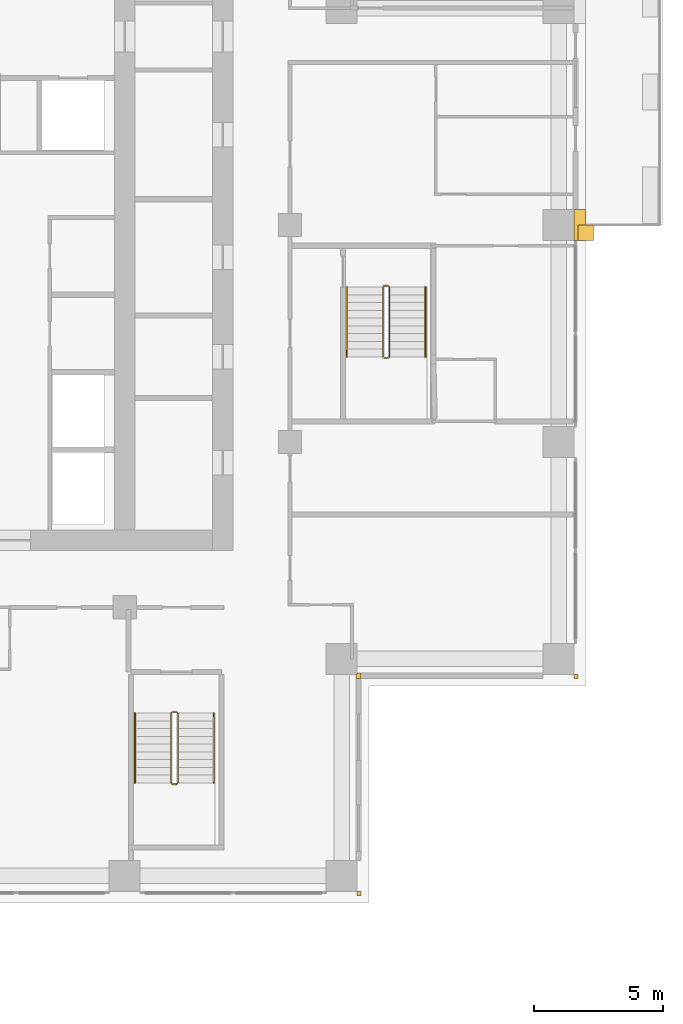
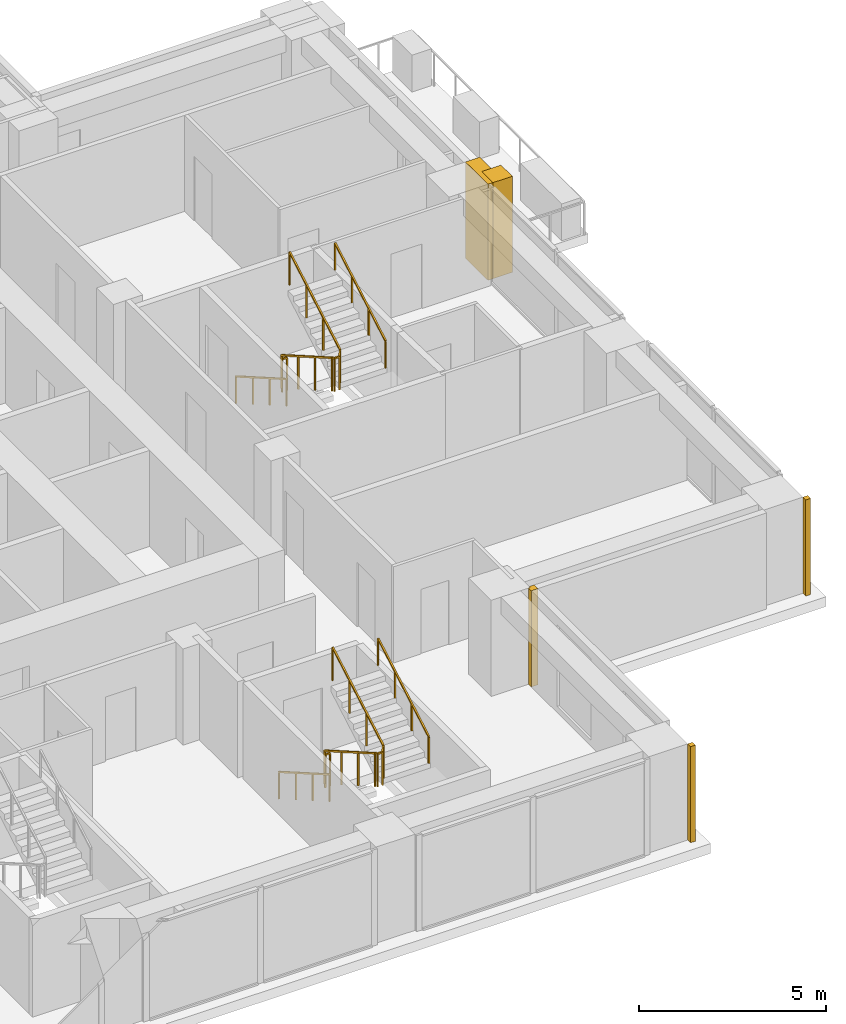
# One storey, part 15 of 17: 6 railings, 5 coverings.
"""IFC4 building model written with IfcOpenShell, lengths in metres."""

import ifcopenshell
import ifcopenshell.guid

model = None  # the IFC model being written
_history = None  # IfcOwnerHistory: only IFC2X3 demands one
_inside = {}  # id of a spatial element -> (the spatial element, [elements in it])
_under = {}  # id of a project, library or spatial element -> (it, [spatial elements below it])
_declared = {}  # id of a project -> (the project, [libraries it declares])
_typed = {}  # id of a type object -> (the type object, [elements of that type])
_made_of = {}  # id of a material, layer set ... -> (it, [elements and type objects made of it])


def new_model(schema):
    """Start an empty IFC model of exactly this schema.

    Asked for "IFC4X3", IfcOpenShell would pick the latest addendum, in which some entities
    have other attributes; the version numbers below select the first issue.
    IFC2X3 requires an IfcOwnerHistory on every rooted entity: one is made here for all.
    """
    global model, _history
    if schema == "IFC4X3":
        model = ifcopenshell.file(schema_version=(4, 3, 0, 0))
    else:
        model = ifcopenshell.file(schema=schema)
    _inside.clear()
    _under.clear()
    _declared.clear()
    _typed.clear()
    _made_of.clear()
    _history = None
    if model.schema == "IFC2X3":
        org = make("IfcOrganization", Name="unknown")
        user = make(
            "IfcPersonAndOrganization",
            ThePerson=make("IfcPerson", FamilyName="unknown"),
            TheOrganization=org,
        )
        app = make(
            "IfcApplication",
            ApplicationDeveloper=org,
            Version="unknown",
            ApplicationFullName="unknown",
            ApplicationIdentifier="unknown",
        )
        _history = make(
            "IfcOwnerHistory",
            OwningUser=user,
            OwningApplication=app,
            ChangeAction="ADDED",
            CreationDate=0,
        )
    return model


def make(cls, **values):
    """One entity of the class cls with the attributes given. An attribute that is None is left unset."""
    return model.create_entity(
        cls, **{name: value for name, value in values.items() if value is not None}
    )


def rooted(cls, **values):
    """An entity with a GlobalId (a new one), such as an element, a storey or a relation."""
    return make(cls, GlobalId=ifcopenshell.guid.new(), OwnerHistory=_history, **values)


def si_unit(unit_type, name, prefix=None):
    """IfcSIUnit, for example si_unit("LENGTHUNIT", "METRE", prefix="MILLI")."""
    return make("IfcSIUnit", UnitType=unit_type, Prefix=prefix, Name=name)


def assignment(units):
    """IfcUnitAssignment: the units of a project."""
    return None if units is None else make("IfcUnitAssignment", Units=units)


def point(xyz):
    """IfcCartesianPoint."""
    return None if xyz is None else make("IfcCartesianPoint", Coordinates=xyz)


def direction(xyz):
    """IfcDirection."""
    return None if xyz is None else make("IfcDirection", DirectionRatios=xyz)


def frame(location, z_axis=None, x_axis=None):
    """IfcAxis2Placement3D, a coordinate frame: its origin and axes. An axis left out is left unset."""
    return make(
        "IfcAxis2Placement3D",
        Location=point(location),
        Axis=direction(z_axis),
        RefDirection=direction(x_axis),
    )


def frame_2d(location, x_axis=None):
    """IfcAxis2Placement2D, a coordinate frame in the plane: its origin and x axis."""
    return make(
        "IfcAxis2Placement2D", Location=point(location), RefDirection=direction(x_axis)
    )


def origin():
    """The frame at (0, 0, 0) with its axes left unset."""
    return frame((0.0, 0.0, 0.0))


def origin_2d():
    """The frame at (0, 0) in the plane with its x axis left unset."""
    return frame_2d((0.0, 0.0))


def place(relative_to, where):
    """IfcLocalPlacement: puts the frame where relative to a parent placement (None: the world)."""
    return make(
        "IfcLocalPlacement", PlacementRelTo=relative_to, RelativePlacement=where
    )


def context(
    kind, dimensions, precision=None, world=None, true_north=None, identifier=None
):
    """IfcGeometricRepresentationContext, for example the 3D "Model" context."""
    return make(
        "IfcGeometricRepresentationContext",
        ContextIdentifier=identifier,
        ContextType=kind,
        CoordinateSpaceDimension=dimensions,
        Precision=precision,
        WorldCoordinateSystem=world,
        TrueNorth=true_north,
    )


def subcontext(parent, identifier, kind, view, scale=None):
    """IfcGeometricRepresentationSubContext, for example "Body" below "Model"."""
    return make(
        "IfcGeometricRepresentationSubContext",
        ContextIdentifier=identifier,
        ContextType=kind,
        ParentContext=parent,
        TargetScale=scale,
        TargetView=view,
    )


def project(units=None, contexts=None):
    """IfcProject with its units and contexts."""
    return rooted(
        "IfcProject",
        Name="project",
        RepresentationContexts=contexts,
        UnitsInContext=assignment(units),
    )


def spatial(cls, under=None, at=None, **own):
    """A site, building, storey or space (cls), placed at a placement, below another one or the project."""
    s = rooted(cls, ObjectPlacement=at, **own)
    if under is not None:
        _under.setdefault(under.id(), (under, []))[1].append(s)
    return s


def polyline(points):
    """IfcPolyline through the points."""
    return make("IfcPolyline", Points=[point(p) for p in points])


def profile(cls, at=None, kind="AREA", **sizes):
    """A parametric profile (cls). Its sizes go by their IFC names, for example OverallWidth=200.0."""
    return make(cls, ProfileType=kind, Position=at, **sizes)


def rectangle(**sizes):
    """IfcRectangleProfileDef."""
    return profile("IfcRectangleProfileDef", **sizes)


def outline(outer, holes=None, kind="AREA"):
    """IfcArbitraryClosedProfileDef: a profile drawn as a closed curve; with holes, ...WithVoids."""
    if holes is None:
        return make("IfcArbitraryClosedProfileDef", ProfileType=kind, OuterCurve=outer)
    return make(
        "IfcArbitraryProfileDefWithVoids",
        ProfileType=kind,
        OuterCurve=outer,
        InnerCurves=holes,
    )


def extrude(swept, where, along, depth):
    """IfcExtrudedAreaSolid: the profile swept, set in the frame where, extruded along a direction by depth."""
    return make(
        "IfcExtrudedAreaSolid",
        SweptArea=swept,
        Position=where,
        ExtrudedDirection=direction(along),
        Depth=depth,
    )


def shape(context_of_items, identifier, shape_type, items):
    """IfcShapeRepresentation: the items that make up one representation, for example the "Body"."""
    return make(
        "IfcShapeRepresentation",
        ContextOfItems=context_of_items,
        RepresentationIdentifier=identifier,
        RepresentationType=shape_type,
        Items=items,
    )


def material(Name=None, Category=None):
    """IfcMaterial."""
    return make("IfcMaterial", Name=Name, Category=Category)


def made_of(thing, what):
    """Note that an element or type object is made of a material, layer set ...; save() writes the relation."""
    if what is not None:
        _made_of.setdefault(what.id(), (what, []))[1].append(thing)
    return thing


def type_object(cls, material=None, **own):
    """A type object (cls), such as IfcWallType, which elements share."""
    return made_of(rooted(cls, **own), material)


def element(
    cls,
    number,
    at=None,
    inside=None,
    cuts=None,
    type_object=None,
    material=None,
    context=None,
    identifier="Body",
    shape_type=None,
    held_by="IfcProductDefinitionShape",
    body=None,
    shapes=None,
    **own,
):
    """One element of the class cls, such as IfcWall. Its Tag is "e" and its number.

    at: its placement. inside: the storey or other place that contains it. cuts: it is an
    opening in that element (IfcRelVoidsElement). A single representation is given by context,
    identifier, shape_type and body (its items); several are given by shapes. held_by: the class
    of the entity that holds the representations. save() writes the other relations.
    """
    e = rooted(cls, Tag="e%d" % number, ObjectPlacement=at, **own)
    if body is not None:
        shapes = [shape(context, identifier, shape_type, body)]
    if shapes is not None:
        e.Representation = make(held_by, Representations=shapes)
    if inside is not None:
        _inside.setdefault(inside.id(), (inside, []))[1].append(e)
    if cuts is not None:
        rooted(
            "IfcRelVoidsElement", RelatingBuildingElement=cuts, RelatedOpeningElement=e
        )
    if type_object is not None:
        _typed.setdefault(type_object.id(), (type_object, []))[1].append(e)
    return made_of(e, material)


def aggregate(whole, parts):
    """IfcRelAggregates: a whole, such as a stair, and the parts it consists of."""
    return rooted("IfcRelAggregates", RelatingObject=whole, RelatedObjects=parts)


def save(model, path):
    """Write the relations noted so far, then the file.

    IfcRelAggregates (storeys below a building ...), IfcRelContainedInSpatialStructure (elements
    in a storey), IfcRelDefinesByType, IfcRelAssociatesMaterial and IfcRelDeclares: one each for
    every whole, place, type object, material and project.
    """
    for whole, parts in _under.values():
        aggregate(whole, parts)
    for where, things in _inside.values():
        rooted(
            "IfcRelContainedInSpatialStructure",
            RelatedElements=things,
            RelatingStructure=where,
        )
    for kind, things in _typed.values():
        rooted("IfcRelDefinesByType", RelatedObjects=things, RelatingType=kind)
    for what, things in _made_of.values():
        rooted("IfcRelAssociatesMaterial", RelatedObjects=things, RelatingMaterial=what)
    for by, libraries in _declared.values():
        rooted("IfcRelDeclares", RelatingContext=by, RelatedDefinitions=libraries)
    model.write(path)


model = new_model("IFC4")

# Units and contexts
model_context = context("Model", 3, precision=1e-05, world=origin(), true_north=direction((0.0, 1.0)))
body_context = subcontext(model_context, "Body", "Model", "MODEL_VIEW")
ifc_project = project(units=[si_unit("LENGTHUNIT", "METRE"), si_unit("AREAUNIT", "SQUARE_METRE"), si_unit("VOLUMEUNIT", "CUBIC_METRE"), si_unit("PLANEANGLEUNIT", "RADIAN"), si_unit("MASSUNIT", "GRAM", prefix="KILO")], contexts=[model_context])

# Site, building, storey
site_placement = place(None, origin())
site = spatial("IfcSite", under=ifc_project, at=site_placement, CompositionType="ELEMENT")
building_placement = place(site_placement, origin())
building = spatial("IfcBuilding", under=site, at=building_placement, Name="Vermilion Ogive Tower", CompositionType="ELEMENT")
storey_placement = place(building_placement, frame((0.0, 0.0, 87.300048828125)))
storey = spatial("IfcBuildingStorey", under=building, at=storey_placement, Name="L21", CompositionType="ELEMENT", Elevation=87.300048828125)

# Railings
ifc_material_1 = material(Name="Steel S355 painted", Category="steel")
railing_type_1 = type_object("IfcRailingType", Name="Stair guard 1100", PredefinedType="GUARDRAIL", material=ifc_material_1)
railing_1_placement = place(storey_placement, frame((10.39990234375, -14.64990234375, 0.0)))
element("IfcRailing", 1, at=railing_1_placement, inside=storey, type_object=railing_type_1, Name="L21 ST5 stair guard 4", PredefinedType="GUARDRAIL", context=body_context, shape_type="SweptSolid", body=[
    extrude(rectangle(XDim=0.048095703125, YDim=0.048095703125, at=origin_2d()), frame((0.0, 0.0, 1.076171875), z_axis=(-1.0, 0.0, 0.0), x_axis=(0.0, -1.0, 0.0)), (0.0, 0.0, 1.0), 0.14990234375),
    extrude(rectangle(XDim=0.048095703125, YDim=0.048095703125, at=origin_2d()), frame((-0.14990234375, 0.0, 1.076171875), z_axis=(-0.268603158521, -0.268603158521, 0.925043072762), x_axis=(0.707106781187, -0.707106781187, 0.0)), (0.0, 0.0, 1.0), 0.186279296875),
    extrude(rectangle(XDim=0.048095703125, YDim=0.048095703125, at=origin_2d()), frame((-0.199951171875, -0.050048828125, 1.24853515625), z_axis=(0.0, -0.866903762492, 0.498475542607), x_axis=(1.0, 0.0, 0.0)), (0.0, 0.0, 1.0), 3.114501953125),
    extrude(rectangle(XDim=0.048095703125, YDim=0.048095703125, at=origin_2d()), frame((-0.199951171875, -2.75, 2.80078125), z_axis=(0.707106781187, -0.707106781187, 0.0), x_axis=(0.707106781187, 0.707106781187, 0.0)), (0.0, 0.0, 1.0), 0.07080078125),
    extrude(rectangle(XDim=0.048095703125, YDim=0.048095703125, at=origin_2d()), frame((-0.14990234375, -2.800048828125, 2.80078125), z_axis=(1.0, 0.0, 0.0), x_axis=(0.0, 1.0, 0.0)), (0.0, 0.0, 1.0), 0.14990234375),
    extrude(rectangle(XDim=0.048095703125, YDim=0.048095703125, at=origin_2d()), frame((0.0, -2.800048828125, 2.80078125), z_axis=(0.268277960024, 0.268277960024, 0.925231793839), x_axis=(-0.707106781187, 0.707106781187, 0.0)), (0.0, 0.0, 1.0), 0.1865234375),
    extrude(rectangle(XDim=0.048095703125, YDim=0.048095703125, at=origin_2d()), frame((0.050048828125, -2.75, 2.9736328125), z_axis=(0.0, 0.866903762492, 0.498475542607), x_axis=(-1.0, 0.0, 0.0)), (0.0, 0.0, 1.0), 3.114501953125),
    extrude(rectangle(XDim=0.0419921875, YDim=0.0419921875, at=origin_2d()), origin(), (0.0, 0.0, 1.0), 1.052001953125),
    extrude(rectangle(XDim=0.0419921875, YDim=0.0419921875, at=origin_2d()), frame((-0.14990234375, 0.0, 0.0)), (0.0, 0.0, 1.0), 1.052001953125),
    extrude(rectangle(XDim=0.0419921875, YDim=0.0419921875, at=origin_2d()), frame((-0.199951171875, -0.050048828125, 0.17236328125)), (0.0, 0.0, 1.0), 1.052001953125),
    extrude(rectangle(XDim=0.0419921875, YDim=0.0419921875, at=origin_2d()), frame((-0.199951171875, -0.949951171875, 0.68994140625)), (0.0, 0.0, 1.0), 1.052001953125),
    extrude(rectangle(XDim=0.0419921875, YDim=0.0419921875, at=origin_2d()), frame((-0.199951171875, -1.85009765625, 1.207275390625)), (0.0, 0.0, 1.0), 1.052001953125),
    extrude(rectangle(XDim=0.0419921875, YDim=0.0419921875, at=origin_2d()), frame((-0.199951171875, -2.75, 1.724853515625)), (0.0, 0.0, 1.0), 1.052001953125),
    extrude(rectangle(XDim=0.0419921875, YDim=0.0419921875, at=origin_2d()), frame((-0.14990234375, -2.800048828125, 1.724853515625)), (0.0, 0.0, 1.0), 1.052001953125),
    extrude(rectangle(XDim=0.0419921875, YDim=0.0419921875, at=origin_2d()), frame((0.0, -2.800048828125, 1.724853515625)), (0.0, 0.0, 1.0), 1.052001953125),
    extrude(rectangle(XDim=0.0419921875, YDim=0.0419921875, at=origin_2d()), frame((0.050048828125, -2.75, 1.8974609375)), (0.0, 0.0, 1.0), 1.052001953125),
    extrude(rectangle(XDim=0.0419921875, YDim=0.0419921875, at=origin_2d()), frame((0.050048828125, -1.85009765625, 2.4150390625)), (0.0, 0.0, 1.0), 1.052001953125),
    extrude(rectangle(XDim=0.0419921875, YDim=0.0419921875, at=origin_2d()), frame((0.050048828125, -0.949951171875, 2.932373046875)), (0.0, 0.0, 1.0), 1.052001953125),
    extrude(rectangle(XDim=0.0419921875, YDim=0.0419921875, at=origin_2d()), frame((0.050048828125, -0.050048828125, 3.449951171875)), (0.0, 0.0, 1.0), 1.052001953125),
])
railing_2_placement = place(storey_placement, frame((18.60009765625, 1.85009765625, 0.0)))
element("IfcRailing", 2, at=railing_2_placement, inside=storey, type_object=railing_type_1, Name="L21 ST8 stair guard 4", PredefinedType="GUARDRAIL", context=body_context, shape_type="SweptSolid", body=[
    extrude(rectangle(XDim=0.048095703125, YDim=0.048095703125, at=origin_2d()), frame((0.0, 0.0, 1.076171875), z_axis=(-1.0, 0.0, 0.0), x_axis=(0.0, -1.0, 0.0)), (0.0, 0.0, 1.0), 0.150146484375),
    extrude(rectangle(XDim=0.048095703125, YDim=0.048095703125, at=origin_2d()), frame((-0.150146484375, 0.0, 1.076171875), z_axis=(-0.268603158521, -0.268603158521, 0.925043072762), x_axis=(0.707106781187, -0.707106781187, 0.0)), (0.0, 0.0, 1.0), 0.186279296875),
    extrude(rectangle(XDim=0.048095703125, YDim=0.048095703125, at=origin_2d()), frame((-0.2001953125, -0.050048828125, 1.24853515625), z_axis=(0.0, -0.866903762492, 0.498475542607), x_axis=(1.0, 0.0, 0.0)), (0.0, 0.0, 1.0), 3.114501953125),
    extrude(rectangle(XDim=0.048095703125, YDim=0.048095703125, at=origin_2d()), frame((-0.2001953125, -2.75, 2.80078125), z_axis=(0.707106781187, -0.707106781187, 0.0), x_axis=(0.707106781187, 0.707106781187, 0.0)), (0.0, 0.0, 1.0), 0.07080078125),
    extrude(rectangle(XDim=0.048095703125, YDim=0.048095703125, at=origin_2d()), frame((-0.150146484375, -2.800048828125, 2.80078125), z_axis=(1.0, 0.0, 0.0), x_axis=(0.0, 1.0, 0.0)), (0.0, 0.0, 1.0), 0.150146484375),
    extrude(rectangle(XDim=0.048095703125, YDim=0.048095703125, at=origin_2d()), frame((0.0, -2.800048828125, 2.80078125), z_axis=(0.267062837333, 0.268371968888, 0.925556009775), x_axis=(-0.708833529934, 0.705375805398, 0.0)), (0.0, 0.0, 1.0), 0.1865234375),
    extrude(rectangle(XDim=0.048095703125, YDim=0.048095703125, at=origin_2d()), frame((0.0498046875, -2.75, 2.9736328125), z_axis=(0.0, 0.866903762492, 0.498475542607), x_axis=(-1.0, 0.0, 0.0)), (0.0, 0.0, 1.0), 3.114501953125),
    extrude(rectangle(XDim=0.0419921875, YDim=0.0419921875, at=origin_2d()), origin(), (0.0, 0.0, 1.0), 1.052001953125),
    extrude(rectangle(XDim=0.0419921875, YDim=0.0419921875, at=origin_2d()), frame((-0.150146484375, 0.0, 0.0)), (0.0, 0.0, 1.0), 1.052001953125),
    extrude(rectangle(XDim=0.0419921875, YDim=0.0419921875, at=origin_2d()), frame((-0.2001953125, -0.050048828125, 0.17236328125)), (0.0, 0.0, 1.0), 1.052001953125),
    extrude(rectangle(XDim=0.0419921875, YDim=0.0419921875, at=origin_2d()), frame((-0.2001953125, -0.949951171875, 0.68994140625)), (0.0, 0.0, 1.0), 1.052001953125),
    extrude(rectangle(XDim=0.0419921875, YDim=0.0419921875, at=origin_2d()), frame((-0.2001953125, -1.85009765625, 1.207275390625)), (0.0, 0.0, 1.0), 1.052001953125),
    extrude(rectangle(XDim=0.0419921875, YDim=0.0419921875, at=origin_2d()), frame((-0.2001953125, -2.75, 1.724853515625)), (0.0, 0.0, 1.0), 1.052001953125),
    extrude(rectangle(XDim=0.0419921875, YDim=0.0419921875, at=origin_2d()), frame((-0.150146484375, -2.800048828125, 1.724853515625)), (0.0, 0.0, 1.0), 1.052001953125),
    extrude(rectangle(XDim=0.0419921875, YDim=0.0419921875, at=origin_2d()), frame((0.0, -2.800048828125, 1.724853515625)), (0.0, 0.0, 1.0), 1.052001953125),
    extrude(rectangle(XDim=0.0419921875, YDim=0.0419921875, at=origin_2d()), frame((0.0498046875, -2.75, 1.8974609375)), (0.0, 0.0, 1.0), 1.052001953125),
    extrude(rectangle(XDim=0.0419921875, YDim=0.0419921875, at=origin_2d()), frame((0.0498046875, -1.85009765625, 2.4150390625)), (0.0, 0.0, 1.0), 1.052001953125),
    extrude(rectangle(XDim=0.0419921875, YDim=0.0419921875, at=origin_2d()), frame((0.0498046875, -0.949951171875, 2.932373046875)), (0.0, 0.0, 1.0), 1.052001953125),
    extrude(rectangle(XDim=0.0419921875, YDim=0.0419921875, at=origin_2d()), frame((0.0498046875, -0.050048828125, 3.449951171875)), (0.0, 0.0, 1.0), 1.052001953125),
])
ifc_material_2 = material(Name="Stainless steel", Category="steel")
railing_type_2 = type_object("IfcRailingType", Name="Stair handrail 900", PredefinedType="HANDRAIL", material=ifc_material_2)
railing_3_placement = place(storey_placement, frame((8.800048828125, -14.699951171875, 0.17236328125)))
element("IfcRailing", 3, at=railing_3_placement, inside=storey, type_object=railing_type_2, Name="L21 ST5 stair handrail 1", PredefinedType="HANDRAIL", context=body_context, shape_type="SweptSolid", body=[
    extrude(rectangle(XDim=0.048095703125, YDim=0.048095703125, at=origin_2d()), frame((0.0, 0.0, 0.8759765625), z_axis=(0.0, -0.866903762492, 0.498475542607), x_axis=(1.0, 0.0, 0.0)), (0.0, 0.0, 1.0), 3.114501953125),
    extrude(rectangle(XDim=0.0419921875, YDim=0.0419921875, at=origin_2d()), origin(), (0.0, 0.0, 1.0), 0.851806640625),
    extrude(rectangle(XDim=0.0419921875, YDim=0.0419921875, at=origin_2d()), frame((0.0, -0.89990234375, 0.517578125)), (0.0, 0.0, 1.0), 0.851806640625),
    extrude(rectangle(XDim=0.0419921875, YDim=0.0419921875, at=origin_2d()), frame((0.0, -1.800048828125, 1.034912109375)), (0.0, 0.0, 1.0), 0.851806640625),
    extrude(rectangle(XDim=0.0419921875, YDim=0.0419921875, at=origin_2d()), frame((0.0, -2.699951171875, 1.552490234375)), (0.0, 0.0, 1.0), 0.851806640625),
])
railing_4_placement = place(storey_placement, frame((11.85009765625, -17.39990234375, 1.8974609375)))
element("IfcRailing", 4, at=railing_4_placement, inside=storey, type_object=railing_type_2, Name="L21 ST5 stair handrail 2", PredefinedType="HANDRAIL", context=body_context, shape_type="SweptSolid", body=[
    extrude(rectangle(XDim=0.048095703125, YDim=0.048095703125, at=origin_2d()), frame((0.0, 0.0, 0.8759765625), z_axis=(0.0, 0.866903762492, 0.498475542607), x_axis=(-1.0, 0.0, 0.0)), (0.0, 0.0, 1.0), 3.114501953125),
    extrude(rectangle(XDim=0.0419921875, YDim=0.0419921875, at=origin_2d()), origin(), (0.0, 0.0, 1.0), 0.851806640625),
    extrude(rectangle(XDim=0.0419921875, YDim=0.0419921875, at=origin_2d()), frame((0.0, 0.89990234375, 0.517578125)), (0.0, 0.0, 1.0), 0.851806640625),
    extrude(rectangle(XDim=0.0419921875, YDim=0.0419921875, at=origin_2d()), frame((0.0, 1.800048828125, 1.034912109375)), (0.0, 0.0, 1.0), 0.851806640625),
    extrude(rectangle(XDim=0.0419921875, YDim=0.0419921875, at=origin_2d()), frame((0.0, 2.699951171875, 1.552490234375)), (0.0, 0.0, 1.0), 0.851806640625),
])
railing_5_placement = place(storey_placement, frame((17.0, 1.800048828125, 0.17236328125)))
element("IfcRailing", 5, at=railing_5_placement, inside=storey, type_object=railing_type_2, Name="L21 ST8 stair handrail 1", PredefinedType="HANDRAIL", context=body_context, shape_type="SweptSolid", body=[
    extrude(rectangle(XDim=0.048095703125, YDim=0.048095703125, at=origin_2d()), frame((0.0, 0.0, 0.8759765625), z_axis=(0.0, -0.866903762492, 0.498475542607), x_axis=(1.0, 0.0, 0.0)), (0.0, 0.0, 1.0), 3.114501953125),
    extrude(rectangle(XDim=0.0419921875, YDim=0.0419921875, at=origin_2d()), origin(), (0.0, 0.0, 1.0), 0.851806640625),
    extrude(rectangle(XDim=0.0419921875, YDim=0.0419921875, at=origin_2d()), frame((0.0, -0.89990234375, 0.517578125)), (0.0, 0.0, 1.0), 0.851806640625),
    extrude(rectangle(XDim=0.0419921875, YDim=0.0419921875, at=origin_2d()), frame((0.0, -1.800048828125, 1.034912109375)), (0.0, 0.0, 1.0), 0.851806640625),
    extrude(rectangle(XDim=0.0419921875, YDim=0.0419921875, at=origin_2d()), frame((0.0, -2.699951171875, 1.552490234375)), (0.0, 0.0, 1.0), 0.851806640625),
])
railing_6_placement = place(storey_placement, frame((20.050048828125, -0.89990234375, 1.8974609375)))
element("IfcRailing", 6, at=railing_6_placement, inside=storey, type_object=railing_type_2, Name="L21 ST8 stair handrail 2", PredefinedType="HANDRAIL", context=body_context, shape_type="SweptSolid", body=[
    extrude(rectangle(XDim=0.048095703125, YDim=0.048095703125, at=origin_2d()), frame((0.0, 0.0, 0.8759765625), z_axis=(0.0, 0.866903762492, 0.498475542607), x_axis=(-1.0, 0.0, 0.0)), (0.0, 0.0, 1.0), 3.114501953125),
    extrude(rectangle(XDim=0.0419921875, YDim=0.0419921875, at=origin_2d()), origin(), (0.0, 0.0, 1.0), 0.851806640625),
    extrude(rectangle(XDim=0.0419921875, YDim=0.0419921875, at=origin_2d()), frame((0.0, 0.89990234375, 0.517578125)), (0.0, 0.0, 1.0), 0.851806640625),
    extrude(rectangle(XDim=0.0419921875, YDim=0.0419921875, at=origin_2d()), frame((0.0, 1.800048828125, 1.034912109375)), (0.0, 0.0, 1.0), 0.851806640625),
    extrude(rectangle(XDim=0.0419921875, YDim=0.0419921875, at=origin_2d()), frame((0.0, 2.699951171875, 1.552490234375)), (0.0, 0.0, 1.0), 0.851806640625),
])

# Coverings
ifc_material_3 = material(Name="Stone cladding", Category="masonry")
covering_type_1 = type_object("IfcCoveringType", Name="Stone corner buttress", PredefinedType="CLADDING", material=ifc_material_3)
covering_1_placement = place(storey_placement, origin())
element("IfcCovering", 7, at=covering_1_placement, inside=storey, type_object=covering_type_1, Name="Stone crease pier EK", PredefinedType="CLADDING", context=body_context, shape_type="SweptSolid", body=[
    extrude(outline(polyline([(26.550048828125, 3.60009765625), (26.550048828125, 4.199951171875), (25.949951171875, 4.199951171875), (25.949951171875, 3.60009765625), (26.550048828125, 3.60009765625)])), origin(), (0.0, 0.0, 1.0), 3.1298828125),
])
ifc_material_4 = material(Name="Stone cladding", Category="masonry")
covering_type_2 = type_object("IfcCoveringType", Name="Stone pier", PredefinedType="CLADDING", material=ifc_material_4)
covering_2_placement = place(storey_placement, origin())
element("IfcCovering", 8, at=covering_2_placement, inside=storey, type_object=covering_type_2, Name="Stone corner pier SE1", PredefinedType="CLADDING", context=body_context, shape_type="SweptSolid", body=[
    extrude(outline(polyline([(17.39990234375, -21.75), (17.39990234375, -21.60009765625), (17.39990234375, -21.60009765625), (17.550048828125, -21.60009765625), (17.550048828125, -21.75), (17.39990234375, -21.75)])), origin(), (0.0, 0.0, 1.0), 3.1298828125),
])
covering_3_placement = place(storey_placement, origin())
element("IfcCovering", 9, at=covering_3_placement, inside=storey, type_object=covering_type_2, Name="Stone corner pier X1E1", PredefinedType="CLADDING", context=body_context, shape_type="SweptSolid", body=[
    extrude(outline(polyline([(17.35009765625, -13.199951171875), (17.39990234375, -13.199951171875), (17.39990234375, -13.14990234375), (17.550048828125, -13.14990234375), (17.550048828125, -13.35009765625), (17.35009765625, -13.35009765625), (17.35009765625, -13.199951171875)])), origin(), (0.0, 0.0, 1.0), 3.1298828125),
])
covering_4_placement = place(storey_placement, origin())
element("IfcCovering", 10, at=covering_4_placement, inside=storey, type_object=covering_type_2, Name="Stone corner pier X2E1", PredefinedType="CLADDING", context=body_context, shape_type="SweptSolid", body=[
    extrude(outline(polyline([(25.800048828125, -13.35009765625), (25.800048828125, -13.199951171875), (25.949951171875, -13.199951171875), (25.949951171875, -13.35009765625), (25.800048828125, -13.35009765625)])), origin(), (0.0, 0.0, 1.0), 3.1298828125),
])
covering_5_placement = place(storey_placement, origin())
element("IfcCovering", 11, at=covering_5_placement, inside=storey, type_object=covering_type_2, Name="Stone pier P+0252+042", PredefinedType="CLADDING", context=body_context, shape_type="SweptSolid", body=[
    extrude(outline(polyline([(25.800048828125, 4.800048828125), (25.800048828125, 4.800048828125), (26.25, 4.800048828125), (26.25, 4.199951171875), (25.949951171875, 4.199951171875), (25.949951171875, 3.60009765625), (26.25, 3.60009765625), (26.25, 3.60009765625), (25.800048828125, 3.60009765625), (25.800048828125, 3.60009765625), (25.800048828125, 4.800048828125)])), origin(), (0.0, 0.0, 1.0), 3.1298828125),
])

save(model, "model.ifc")
